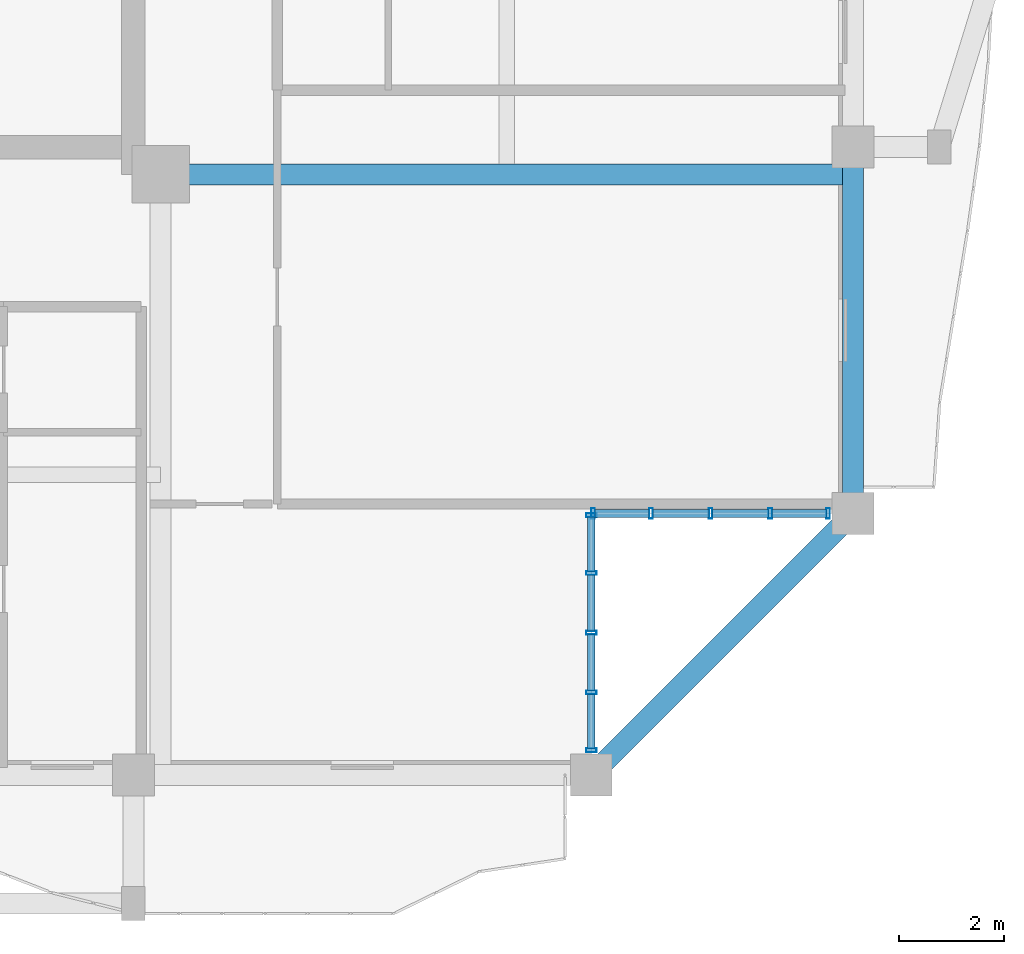
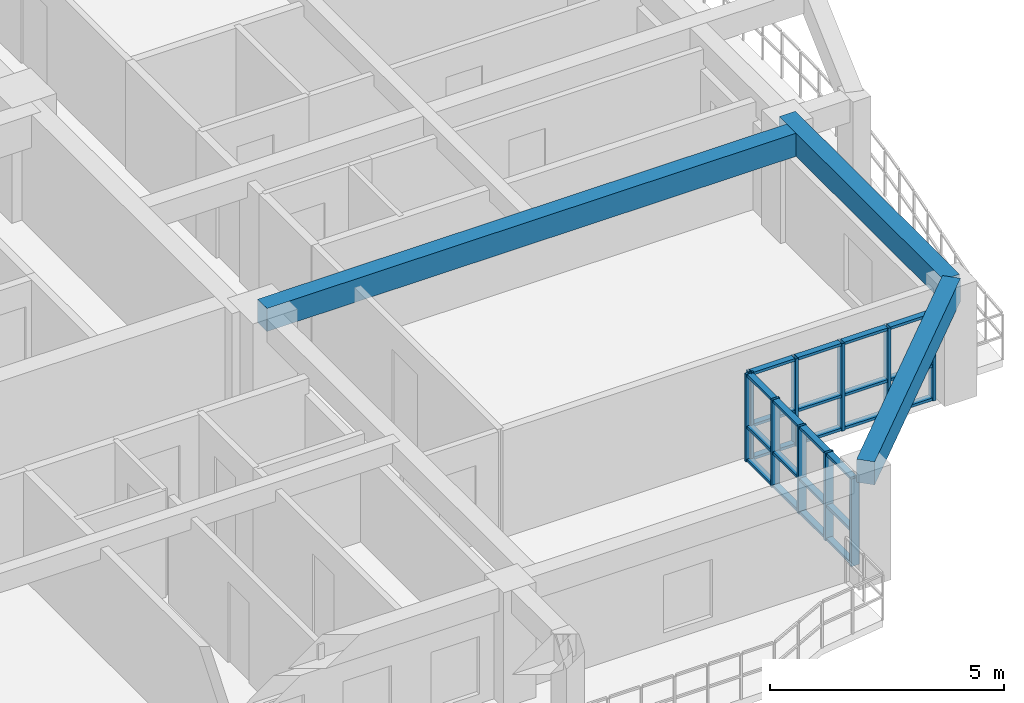
# One storey, part 4 of 21: 34 members, 3 beams, 2 elements without a shape of their own.
"""IFC4 building model written with IfcOpenShell, lengths in metres."""

import ifcopenshell
import ifcopenshell.guid

model = None  # the IFC model being written
_history = None  # IfcOwnerHistory: only IFC2X3 demands one
_inside = {}  # id of a spatial element -> (the spatial element, [elements in it])
_under = {}  # id of a project, library or spatial element -> (it, [spatial elements below it])
_declared = {}  # id of a project -> (the project, [libraries it declares])
_typed = {}  # id of a type object -> (the type object, [elements of that type])
_made_of = {}  # id of a material, layer set ... -> (it, [elements and type objects made of it])


def new_model(schema):
    """Start an empty IFC model of exactly this schema.

    Asked for "IFC4X3", IfcOpenShell would pick the latest addendum, in which some entities
    have other attributes; the version numbers below select the first issue.
    IFC2X3 requires an IfcOwnerHistory on every rooted entity: one is made here for all.
    """
    global model, _history
    if schema == "IFC4X3":
        model = ifcopenshell.file(schema_version=(4, 3, 0, 0))
    else:
        model = ifcopenshell.file(schema=schema)
    _inside.clear()
    _under.clear()
    _declared.clear()
    _typed.clear()
    _made_of.clear()
    _history = None
    if model.schema == "IFC2X3":
        org = make("IfcOrganization", Name="unknown")
        user = make(
            "IfcPersonAndOrganization",
            ThePerson=make("IfcPerson", FamilyName="unknown"),
            TheOrganization=org,
        )
        app = make(
            "IfcApplication",
            ApplicationDeveloper=org,
            Version="unknown",
            ApplicationFullName="unknown",
            ApplicationIdentifier="unknown",
        )
        _history = make(
            "IfcOwnerHistory",
            OwningUser=user,
            OwningApplication=app,
            ChangeAction="ADDED",
            CreationDate=0,
        )
    return model


def make(cls, **values):
    """One entity of the class cls with the attributes given. An attribute that is None is left unset."""
    return model.create_entity(
        cls, **{name: value for name, value in values.items() if value is not None}
    )


def rooted(cls, **values):
    """An entity with a GlobalId (a new one), such as an element, a storey or a relation."""
    return make(cls, GlobalId=ifcopenshell.guid.new(), OwnerHistory=_history, **values)


def si_unit(unit_type, name, prefix=None):
    """IfcSIUnit, for example si_unit("LENGTHUNIT", "METRE", prefix="MILLI")."""
    return make("IfcSIUnit", UnitType=unit_type, Prefix=prefix, Name=name)


def assignment(units):
    """IfcUnitAssignment: the units of a project."""
    return None if units is None else make("IfcUnitAssignment", Units=units)


def point(xyz):
    """IfcCartesianPoint."""
    return None if xyz is None else make("IfcCartesianPoint", Coordinates=xyz)


def direction(xyz):
    """IfcDirection."""
    return None if xyz is None else make("IfcDirection", DirectionRatios=xyz)


def frame(location, z_axis=None, x_axis=None):
    """IfcAxis2Placement3D, a coordinate frame: its origin and axes. An axis left out is left unset."""
    return make(
        "IfcAxis2Placement3D",
        Location=point(location),
        Axis=direction(z_axis),
        RefDirection=direction(x_axis),
    )


def frame_2d(location, x_axis=None):
    """IfcAxis2Placement2D, a coordinate frame in the plane: its origin and x axis."""
    return make(
        "IfcAxis2Placement2D", Location=point(location), RefDirection=direction(x_axis)
    )


def origin():
    """The frame at (0, 0, 0) with its axes left unset."""
    return frame((0.0, 0.0, 0.0))


def origin_2d():
    """The frame at (0, 0) in the plane with its x axis left unset."""
    return frame_2d((0.0, 0.0))


def place(relative_to, where):
    """IfcLocalPlacement: puts the frame where relative to a parent placement (None: the world)."""
    return make(
        "IfcLocalPlacement", PlacementRelTo=relative_to, RelativePlacement=where
    )


def context(
    kind, dimensions, precision=None, world=None, true_north=None, identifier=None
):
    """IfcGeometricRepresentationContext, for example the 3D "Model" context."""
    return make(
        "IfcGeometricRepresentationContext",
        ContextIdentifier=identifier,
        ContextType=kind,
        CoordinateSpaceDimension=dimensions,
        Precision=precision,
        WorldCoordinateSystem=world,
        TrueNorth=true_north,
    )


def subcontext(parent, identifier, kind, view, scale=None):
    """IfcGeometricRepresentationSubContext, for example "Body" below "Model"."""
    return make(
        "IfcGeometricRepresentationSubContext",
        ContextIdentifier=identifier,
        ContextType=kind,
        ParentContext=parent,
        TargetScale=scale,
        TargetView=view,
    )


def project(units=None, contexts=None):
    """IfcProject with its units and contexts."""
    return rooted(
        "IfcProject",
        Name="project",
        RepresentationContexts=contexts,
        UnitsInContext=assignment(units),
    )


def spatial(cls, under=None, at=None, **own):
    """A site, building, storey or space (cls), placed at a placement, below another one or the project."""
    s = rooted(cls, ObjectPlacement=at, **own)
    if under is not None:
        _under.setdefault(under.id(), (under, []))[1].append(s)
    return s


def profile(cls, at=None, kind="AREA", **sizes):
    """A parametric profile (cls). Its sizes go by their IFC names, for example OverallWidth=200.0."""
    return make(cls, ProfileType=kind, Position=at, **sizes)


def rectangle(**sizes):
    """IfcRectangleProfileDef."""
    return profile("IfcRectangleProfileDef", **sizes)


def hollow_rectangle(**sizes):
    """IfcRectangleHollowProfileDef."""
    return profile("IfcRectangleHollowProfileDef", **sizes)


def extrude(swept, where, along, depth):
    """IfcExtrudedAreaSolid: the profile swept, set in the frame where, extruded along a direction by depth."""
    return make(
        "IfcExtrudedAreaSolid",
        SweptArea=swept,
        Position=where,
        ExtrudedDirection=direction(along),
        Depth=depth,
    )


def shape(context_of_items, identifier, shape_type, items):
    """IfcShapeRepresentation: the items that make up one representation, for example the "Body"."""
    return make(
        "IfcShapeRepresentation",
        ContextOfItems=context_of_items,
        RepresentationIdentifier=identifier,
        RepresentationType=shape_type,
        Items=items,
    )


def source(mapping_origin, context_of_items, identifier, shape_type, items):
    """IfcRepresentationMap: a shape defined once, which mapped items show again and again."""
    return make(
        "IfcRepresentationMap",
        MappingOrigin=mapping_origin,
        MappedRepresentation=shape(context_of_items, identifier, shape_type, items),
    )


def transform(
    local_origin,
    x_axis=None,
    y_axis=None,
    z_axis=None,
    scale=None,
    scale2=None,
    scale3=None,
    uniform=True,
):
    """IfcCartesianTransformationOperator3D, or its non-uniform kind. x_axis, y_axis, z_axis: its Axis1, 2, 3."""
    if uniform:
        return make(
            "IfcCartesianTransformationOperator3D",
            Axis1=direction(x_axis),
            Axis2=direction(y_axis),
            LocalOrigin=point(local_origin),
            Scale=scale,
            Axis3=direction(z_axis),
        )
    return make(
        "IfcCartesianTransformationOperator3DnonUniform",
        Axis1=direction(x_axis),
        Axis2=direction(y_axis),
        LocalOrigin=point(local_origin),
        Scale=scale,
        Axis3=direction(z_axis),
        Scale2=scale2,
        Scale3=scale3,
    )


def mapped(mapping_source, mapping_target):
    """IfcMappedItem: shows the shape of a source again, moved by a transform."""
    return make(
        "IfcMappedItem", MappingSource=mapping_source, MappingTarget=mapping_target
    )


def material(Name=None, Category=None):
    """IfcMaterial."""
    return make("IfcMaterial", Name=Name, Category=Category)


def layer(
    of_material, thickness, ventilated=None, Name=None, Category=None, Priority=None
):
    """IfcMaterialLayer: one layer of a wall or slab, of a material (None: an air gap)."""
    return make(
        "IfcMaterialLayer",
        Material=of_material,
        LayerThickness=thickness,
        IsVentilated=ventilated,
        Name=Name,
        Category=Category,
        Priority=Priority,
    )


def layer_set(layers, Name=None):
    """IfcMaterialLayerSet."""
    return make("IfcMaterialLayerSet", MaterialLayers=layers, LayerSetName=Name)


def material_profile(
    of_material, cross_section, Name=None, Category=None, Priority=None
):
    """IfcMaterialProfile: a cross section and its material."""
    return make(
        "IfcMaterialProfile",
        Name=Name,
        Material=of_material,
        Profile=cross_section,
        Priority=Priority,
        Category=Category,
    )


def profile_set(profiles, Name=None, composite=None):
    """IfcMaterialProfileSet."""
    return make(
        "IfcMaterialProfileSet",
        Name=Name,
        MaterialProfiles=profiles,
        CompositeProfile=composite,
    )


def made_of(thing, what):
    """Note that an element or type object is made of a material, layer set ...; save() writes the relation."""
    if what is not None:
        _made_of.setdefault(what.id(), (what, []))[1].append(thing)
    return thing


def type_object(cls, material=None, **own):
    """A type object (cls), such as IfcWallType, which elements share."""
    return made_of(rooted(cls, **own), material)


def element(
    cls,
    number,
    at=None,
    inside=None,
    cuts=None,
    type_object=None,
    material=None,
    context=None,
    identifier="Body",
    shape_type=None,
    held_by="IfcProductDefinitionShape",
    body=None,
    shapes=None,
    **own,
):
    """One element of the class cls, such as IfcWall. Its Tag is "e" and its number.

    at: its placement. inside: the storey or other place that contains it. cuts: it is an
    opening in that element (IfcRelVoidsElement). A single representation is given by context,
    identifier, shape_type and body (its items); several are given by shapes. held_by: the class
    of the entity that holds the representations. save() writes the other relations.
    """
    e = rooted(cls, Tag="e%d" % number, ObjectPlacement=at, **own)
    if body is not None:
        shapes = [shape(context, identifier, shape_type, body)]
    if shapes is not None:
        e.Representation = make(held_by, Representations=shapes)
    if inside is not None:
        _inside.setdefault(inside.id(), (inside, []))[1].append(e)
    if cuts is not None:
        rooted(
            "IfcRelVoidsElement", RelatingBuildingElement=cuts, RelatedOpeningElement=e
        )
    if type_object is not None:
        _typed.setdefault(type_object.id(), (type_object, []))[1].append(e)
    return made_of(e, material)


def aggregate(whole, parts):
    """IfcRelAggregates: a whole, such as a stair, and the parts it consists of."""
    return rooted("IfcRelAggregates", RelatingObject=whole, RelatedObjects=parts)


def save(model, path):
    """Write the relations noted so far, then the file.

    IfcRelAggregates (storeys below a building ...), IfcRelContainedInSpatialStructure (elements
    in a storey), IfcRelDefinesByType, IfcRelAssociatesMaterial and IfcRelDeclares: one each for
    every whole, place, type object, material and project.
    """
    for whole, parts in _under.values():
        aggregate(whole, parts)
    for where, things in _inside.values():
        rooted(
            "IfcRelContainedInSpatialStructure",
            RelatedElements=things,
            RelatingStructure=where,
        )
    for kind, things in _typed.values():
        rooted("IfcRelDefinesByType", RelatedObjects=things, RelatingType=kind)
    for what, things in _made_of.values():
        rooted("IfcRelAssociatesMaterial", RelatedObjects=things, RelatingMaterial=what)
    for by, libraries in _declared.values():
        rooted("IfcRelDeclares", RelatingContext=by, RelatedDefinitions=libraries)
    model.write(path)


model = new_model("IFC4")

# Units and contexts
model_context = context("Model", 3, precision=1e-05, world=origin(), true_north=direction((0.0, 1.0)))
body_context = subcontext(model_context, "Body", "Model", "MODEL_VIEW")
ifc_project = project(units=[si_unit("LENGTHUNIT", "METRE"), si_unit("AREAUNIT", "SQUARE_METRE"), si_unit("VOLUMEUNIT", "CUBIC_METRE"), si_unit("PLANEANGLEUNIT", "RADIAN"), si_unit("MASSUNIT", "GRAM", prefix="KILO")], contexts=[model_context])

# Site, building, storey
site_placement = place(None, origin())
site = spatial("IfcSite", under=ifc_project, at=site_placement, CompositionType="ELEMENT")
building_placement = place(site_placement, origin())
building = spatial("IfcBuilding", under=site, at=building_placement, Name="Saelheon Loggia Tower", CompositionType="ELEMENT")
storey_placement = place(building_placement, frame((0.0, 0.0, 186.699951171875)))
storey = spatial("IfcBuildingStorey", under=building, at=storey_placement, Name="L58", CompositionType="ELEMENT", Elevation=186.699951171875)

# Beams
ifc_material_1 = material(Name="Concrete C40/50", Category="concrete")
ifc_material_profile_1 = material_profile(ifc_material_1, rectangle(XDim=0.39990234375, YDim=0.60009765625, at=origin_2d()), Name="RC-400x600")
ifc_profile_set_1 = profile_set([ifc_material_profile_1], Name="Concrete C40/50")
beam_type_1 = type_object("IfcBeamType", Name="Beam_PerimUpper_RC400x600", PredefinedType="BEAM", material=ifc_profile_set_1)
shared_shape_1 = source(origin(), body_context, "Body", "SweptSolid", [
    extrude(rectangle(XDim=0.39990234375, YDim=0.60009765625, at=origin_2d()), origin(), (0.0, 0.0, 1.0), 7.071044921875),
])
beam_1_placement = place(storey_placement, frame((53.25, 6.0, 2.699951171875), z_axis=(0.707106781187, 0.707106781187, 0.0), x_axis=(-0.707106781187, 0.707106781187, 0.0)))
element("IfcBeam", 1, at=beam_1_placement, inside=storey, type_object=beam_type_1, Name="L58 Perimeter Frame Girder 04", PredefinedType="BEAM", context=body_context, shape_type="MappedRepresentation", body=[
    mapped(shared_shape_1, transform((0.0, 0.0, 0.0), scale=1.0)),
])
shared_shape_2 = source(origin(), body_context, "Body", "SweptSolid", [
    extrude(rectangle(XDim=0.39990234375, YDim=0.60009765625, at=origin_2d()), origin(), (0.0, 0.0, 1.0), 7.0),
])
beam_2_placement = place(storey_placement, frame((58.25, 11.0, 2.699951171875), z_axis=(0.0, 1.0, 0.0), x_axis=(-1.0, 0.0, 0.0)))
element("IfcBeam", 2, at=beam_2_placement, inside=storey, type_object=beam_type_1, Name="L58 Perimeter Frame Girder 05", PredefinedType="BEAM", context=body_context, shape_type="MappedRepresentation", body=[
    mapped(shared_shape_2, transform((0.0, 0.0, 0.0), scale=1.0)),
])
ifc_material_profile_2 = material_profile(ifc_material_1, rectangle(XDim=0.39990234375, YDim=0.60009765625, at=origin_2d()), Name="RC-400x600")
ifc_profile_set_2 = profile_set([ifc_material_profile_2], Name="Concrete C40/50")
beam_type_2 = type_object("IfcBeamType", Name="Beam_UpperGirder_RC400x600", PredefinedType="BEAM", material=ifc_profile_set_2)
shared_shape_3 = source(origin(), body_context, "Body", "SweptSolid", [
    extrude(rectangle(XDim=0.39990234375, YDim=0.60009765625, at=origin_2d()), origin(), (0.0, 0.0, 1.0), 13.22998046875),
])
beam_3_placement = place(storey_placement, frame((45.02001953125, 17.47998046875, 2.699951171875), z_axis=(1.0, 0.0, 0.0), x_axis=(0.0, 1.0, 0.0)))
element("IfcBeam", 3, at=beam_3_placement, inside=storey, type_object=beam_type_2, Name="L58 Radial Floor Girder RAD-SE-E", PredefinedType="BEAM", context=body_context, shape_type="MappedRepresentation", body=[
    mapped(shared_shape_3, transform((0.0, 0.0, 0.0), scale=1.0)),
])

# Curtain wall, members
ifc_material_2 = material(Name="High-Wind Aluminium and Triple Laminated Glass", Category="aluminium")
ifc_layer = layer(ifc_material_2, 0.179931640625)
ifc_layer_set = layer_set([ifc_layer], Name="High-Wind Aluminium and Triple Laminated Glass")
curtain_wall_type = type_object("IfcCurtainWallType", Name="CW_TowerLoggiaHigh", PredefinedType="NOTDEFINED", material=ifc_layer_set)
curtain_wall_1_placement = place(storey_placement, origin())
curtain_wall_1 = element("IfcCurtainWall", 4, at=curtain_wall_1_placement, inside=storey, type_object=curtain_wall_type, Name="L58 Corner Notch Glazing SE1", PredefinedType="NOTDEFINED")
ifc_material_3 = material(Name="Anodised Aluminium 6063-T6", Category="aluminium")
ifc_material_profile_3 = material_profile(ifc_material_3, hollow_rectangle(XDim=0.070068359375, YDim=0.199951171875, WallThickness=0.0048828125, at=origin_2d()), Name="RHS-200x70x5")
ifc_profile_set_3 = profile_set([ifc_material_profile_3], Name="Anodised Aluminium 6063-T6")
member_type_1 = type_object("IfcMemberType", Name="CW_TowerLoggiaHigh_Mullion", PredefinedType="MULLION", material=ifc_profile_set_3)
shared_shape_4 = source(origin(), body_context, "Body", "SweptSolid", [
    extrude(hollow_rectangle(XDim=0.070068359375, YDim=0.199951171875, WallThickness=0.0048828125, at=origin_2d()), origin(), (0.0, 0.0, 1.0), 2.280029296875),
])
member_1_placement = place(storey_placement, frame((53.25, 6.47509765625, 0.0), z_axis=(0.0, 0.0, 1.0), x_axis=(0.0, 1.0, 0.0)))
member_1 = element("IfcMember", 5, at=member_1_placement, type_object=member_type_1, Name="CW4 mullion 1", PredefinedType="MULLION", context=body_context, shape_type="MappedRepresentation", body=[
    mapped(shared_shape_4, transform((0.0, 0.0, 0.0), scale=1.0)),
])
member_2_placement = place(storey_placement, frame((53.25, 7.580078125, 0.0), z_axis=(0.0, 0.0, 1.0), x_axis=(0.0, 1.0, 0.0)))
member_2 = element("IfcMember", 6, at=member_2_placement, type_object=member_type_1, Name="CW4 mullion 2", PredefinedType="MULLION", context=body_context, shape_type="MappedRepresentation", body=[
    mapped(shared_shape_4, transform((0.0, 0.0, 0.0), scale=1.0)),
])
member_3_placement = place(storey_placement, frame((53.25, 8.719970703125, 0.0), z_axis=(0.0, 0.0, 1.0), x_axis=(0.0, 1.0, 0.0)))
member_3 = element("IfcMember", 7, at=member_3_placement, type_object=member_type_1, Name="CW4 mullion 3", PredefinedType="MULLION", context=body_context, shape_type="MappedRepresentation", body=[
    mapped(shared_shape_4, transform((0.0, 0.0, 0.0), scale=1.0)),
])
member_4_placement = place(storey_placement, frame((53.25, 9.860107421875, 0.0), z_axis=(0.0, 0.0, 1.0), x_axis=(0.0, 1.0, 0.0)))
member_4 = element("IfcMember", 8, at=member_4_placement, type_object=member_type_1, Name="CW4 mullion 4", PredefinedType="MULLION", context=body_context, shape_type="MappedRepresentation", body=[
    mapped(shared_shape_4, transform((0.0, 0.0, 0.0), scale=1.0)),
])
member_5_placement = place(storey_placement, frame((53.25, 10.965087890625, 0.0), z_axis=(0.0, 0.0, 1.0), x_axis=(0.0, 1.0, 0.0)))
member_5 = element("IfcMember", 9, at=member_5_placement, type_object=member_type_1, Name="CW4 mullion 5", PredefinedType="MULLION", context=body_context, shape_type="MappedRepresentation", body=[
    mapped(shared_shape_4, transform((0.0, 0.0, 0.0), scale=1.0)),
])

curtain_wall_2_placement = place(storey_placement, origin())
curtain_wall_2 = element("IfcCurtainWall", 10, at=curtain_wall_2_placement, inside=storey, type_object=curtain_wall_type, Name="L58 Corner Notch Glazing SE2", PredefinedType="NOTDEFINED")
member_6_placement = place(storey_placement, frame((53.284912109375, 11.0, 0.0), z_axis=(0.0, 0.0, 1.0), x_axis=(1.0, 0.0, 0.0)))
member_6 = element("IfcMember", 11, at=member_6_placement, type_object=member_type_1, Name="CW4 mullion 1", PredefinedType="MULLION", context=body_context, shape_type="MappedRepresentation", body=[
    mapped(shared_shape_4, transform((0.0, 0.0, 0.0), scale=1.0)),
])
member_7_placement = place(storey_placement, frame((54.389892578125, 11.0, 0.0), z_axis=(0.0, 0.0, 1.0), x_axis=(1.0, 0.0, 0.0)))
member_7 = element("IfcMember", 12, at=member_7_placement, type_object=member_type_1, Name="CW4 mullion 2", PredefinedType="MULLION", context=body_context, shape_type="MappedRepresentation", body=[
    mapped(shared_shape_4, transform((0.0, 0.0, 0.0), scale=1.0)),
])
member_8_placement = place(storey_placement, frame((55.530029296875, 11.0, 0.0), z_axis=(0.0, 0.0, 1.0), x_axis=(1.0, 0.0, 0.0)))
member_8 = element("IfcMember", 13, at=member_8_placement, type_object=member_type_1, Name="CW4 mullion 3", PredefinedType="MULLION", context=body_context, shape_type="MappedRepresentation", body=[
    mapped(shared_shape_4, transform((0.0, 0.0, 0.0), scale=1.0)),
])
member_9_placement = place(storey_placement, frame((56.669921875, 11.0, 0.0), z_axis=(0.0, 0.0, 1.0), x_axis=(1.0, 0.0, 0.0)))
member_9 = element("IfcMember", 14, at=member_9_placement, type_object=member_type_1, Name="CW4 mullion 4", PredefinedType="MULLION", context=body_context, shape_type="MappedRepresentation", body=[
    mapped(shared_shape_4, transform((0.0, 0.0, 0.0), scale=1.0)),
])
member_10_placement = place(storey_placement, frame((57.77490234375, 11.0, 0.0), z_axis=(0.0, 0.0, 1.0), x_axis=(1.0, 0.0, 0.0)))
member_10 = element("IfcMember", 15, at=member_10_placement, type_object=member_type_1, Name="CW4 mullion 5", PredefinedType="MULLION", context=body_context, shape_type="MappedRepresentation", body=[
    mapped(shared_shape_4, transform((0.0, 0.0, 0.0), scale=1.0)),
])

# Member
ifc_material_profile_4 = material_profile(ifc_material_3, hollow_rectangle(XDim=0.070068359375, YDim=0.14990234375, WallThickness=0.0048828125, at=origin_2d()), Name="RHS-150x70x5")
ifc_profile_set_4 = profile_set([ifc_material_profile_4], Name="Anodised Aluminium 6063-T6")
member_type_2 = type_object("IfcMemberType", Name="CW_TowerLoggiaHigh_Transom", PredefinedType="USERDEFINED", material=ifc_profile_set_4)
shared_shape_5 = source(origin(), body_context, "Body", "SweptSolid", [
    extrude(hollow_rectangle(XDim=0.070068359375, YDim=0.14990234375, WallThickness=0.0048828125, at=origin_2d()), origin(), (0.0, 0.0, 1.0), 1.034912109375),
])
member_11_placement = place(storey_placement, frame((53.25, 6.510009765625, 0.03515625), z_axis=(0.0, 1.0, 0.0), x_axis=(0.0, 0.0, 1.0)))
member_11 = element("IfcMember", 16, at=member_11_placement, type_object=member_type_2, Name="CW4 transom 1.1", ObjectType="TRANSOM", PredefinedType="USERDEFINED", context=body_context, shape_type="MappedRepresentation", body=[
    mapped(shared_shape_5, transform((0.0, 0.0, 0.0), scale=1.0)),
])

member_12_placement = place(storey_placement, frame((53.25, 6.510009765625, 0.900146484375), z_axis=(0.0, 1.0, 0.0), x_axis=(0.0, 0.0, 1.0)))
member_12 = element("IfcMember", 17, at=member_12_placement, type_object=member_type_2, Name="CW4 transom 1.2", ObjectType="TRANSOM", PredefinedType="USERDEFINED", context=body_context, shape_type="MappedRepresentation", body=[
    mapped(shared_shape_5, transform((0.0, 0.0, 0.0), scale=1.0)),
])

member_13_placement = place(storey_placement, frame((53.25, 6.510009765625, 2.2451171875), z_axis=(0.0, 1.0, 0.0), x_axis=(0.0, 0.0, 1.0)))
member_13 = element("IfcMember", 18, at=member_13_placement, type_object=member_type_2, Name="CW4 transom 1.3", ObjectType="TRANSOM", PredefinedType="USERDEFINED", context=body_context, shape_type="MappedRepresentation", body=[
    mapped(shared_shape_5, transform((0.0, 0.0, 0.0), scale=1.0)),
])

member_14_placement = place(storey_placement, frame((53.25, 9.89501953125, 0.03515625), z_axis=(0.0, 1.0, 0.0), x_axis=(0.0, 0.0, 1.0)))
member_14 = element("IfcMember", 19, at=member_14_placement, type_object=member_type_2, Name="CW4 transom 4.1", ObjectType="TRANSOM", PredefinedType="USERDEFINED", context=body_context, shape_type="MappedRepresentation", body=[
    mapped(shared_shape_5, transform((0.0, 0.0, 0.0), scale=1.0)),
])

member_15_placement = place(storey_placement, frame((53.25, 9.89501953125, 0.900146484375), z_axis=(0.0, 1.0, 0.0), x_axis=(0.0, 0.0, 1.0)))
member_15 = element("IfcMember", 20, at=member_15_placement, type_object=member_type_2, Name="CW4 transom 4.2", ObjectType="TRANSOM", PredefinedType="USERDEFINED", context=body_context, shape_type="MappedRepresentation", body=[
    mapped(shared_shape_5, transform((0.0, 0.0, 0.0), scale=1.0)),
])

member_16_placement = place(storey_placement, frame((53.25, 9.89501953125, 2.2451171875), z_axis=(0.0, 1.0, 0.0), x_axis=(0.0, 0.0, 1.0)))
member_16 = element("IfcMember", 21, at=member_16_placement, type_object=member_type_2, Name="CW4 transom 4.3", ObjectType="TRANSOM", PredefinedType="USERDEFINED", context=body_context, shape_type="MappedRepresentation", body=[
    mapped(shared_shape_5, transform((0.0, 0.0, 0.0), scale=1.0)),
])

member_17_placement = place(storey_placement, frame((53.320068359375, 11.0, 0.03515625), z_axis=(1.0, 0.0, 0.0), x_axis=(0.0, 0.0, 1.0)))
member_17 = element("IfcMember", 22, at=member_17_placement, type_object=member_type_2, Name="CW4 transom 1.1", ObjectType="TRANSOM", PredefinedType="USERDEFINED", context=body_context, shape_type="MappedRepresentation", body=[
    mapped(shared_shape_5, transform((0.0, 0.0, 0.0), scale=1.0)),
])

member_18_placement = place(storey_placement, frame((53.320068359375, 11.0, 0.900146484375), z_axis=(1.0, 0.0, 0.0), x_axis=(0.0, 0.0, 1.0)))
member_18 = element("IfcMember", 23, at=member_18_placement, type_object=member_type_2, Name="CW4 transom 1.2", ObjectType="TRANSOM", PredefinedType="USERDEFINED", context=body_context, shape_type="MappedRepresentation", body=[
    mapped(shared_shape_5, transform((0.0, 0.0, 0.0), scale=1.0)),
])

member_19_placement = place(storey_placement, frame((53.320068359375, 11.0, 2.2451171875), z_axis=(1.0, 0.0, 0.0), x_axis=(0.0, 0.0, 1.0)))
member_19 = element("IfcMember", 24, at=member_19_placement, type_object=member_type_2, Name="CW4 transom 1.3", ObjectType="TRANSOM", PredefinedType="USERDEFINED", context=body_context, shape_type="MappedRepresentation", body=[
    mapped(shared_shape_5, transform((0.0, 0.0, 0.0), scale=1.0)),
])

member_20_placement = place(storey_placement, frame((56.705078125, 11.0, 0.03515625), z_axis=(1.0, 0.0, 0.0), x_axis=(0.0, 0.0, 1.0)))
member_20 = element("IfcMember", 25, at=member_20_placement, type_object=member_type_2, Name="CW4 transom 4.1", ObjectType="TRANSOM", PredefinedType="USERDEFINED", context=body_context, shape_type="MappedRepresentation", body=[
    mapped(shared_shape_5, transform((0.0, 0.0, 0.0), scale=1.0)),
])

member_21_placement = place(storey_placement, frame((56.705078125, 11.0, 0.900146484375), z_axis=(1.0, 0.0, 0.0), x_axis=(0.0, 0.0, 1.0)))
member_21 = element("IfcMember", 26, at=member_21_placement, type_object=member_type_2, Name="CW4 transom 4.2", ObjectType="TRANSOM", PredefinedType="USERDEFINED", context=body_context, shape_type="MappedRepresentation", body=[
    mapped(shared_shape_5, transform((0.0, 0.0, 0.0), scale=1.0)),
])

member_22_placement = place(storey_placement, frame((56.705078125, 11.0, 2.2451171875), z_axis=(1.0, 0.0, 0.0), x_axis=(0.0, 0.0, 1.0)))
member_22 = element("IfcMember", 27, at=member_22_placement, type_object=member_type_2, Name="CW4 transom 4.3", ObjectType="TRANSOM", PredefinedType="USERDEFINED", context=body_context, shape_type="MappedRepresentation", body=[
    mapped(shared_shape_5, transform((0.0, 0.0, 0.0), scale=1.0)),
])

shared_shape_6 = source(origin(), body_context, "Body", "SweptSolid", [
    extrude(hollow_rectangle(XDim=0.070068359375, YDim=0.14990234375, WallThickness=0.0048828125, at=origin_2d()), origin(), (0.0, 0.0, 1.0), 1.070068359375),
])
member_23_placement = place(storey_placement, frame((53.25, 7.614990234375, 0.03515625), z_axis=(0.0, 1.0, 0.0), x_axis=(0.0, 0.0, 1.0)))
member_23 = element("IfcMember", 28, at=member_23_placement, type_object=member_type_2, Name="CW4 transom 2.1", ObjectType="TRANSOM", PredefinedType="USERDEFINED", context=body_context, shape_type="MappedRepresentation", body=[
    mapped(shared_shape_6, transform((0.0, 0.0, 0.0), scale=1.0)),
])

member_24_placement = place(storey_placement, frame((53.25, 7.614990234375, 0.900146484375), z_axis=(0.0, 1.0, 0.0), x_axis=(0.0, 0.0, 1.0)))
member_24 = element("IfcMember", 29, at=member_24_placement, type_object=member_type_2, Name="CW4 transom 2.2", ObjectType="TRANSOM", PredefinedType="USERDEFINED", context=body_context, shape_type="MappedRepresentation", body=[
    mapped(shared_shape_6, transform((0.0, 0.0, 0.0), scale=1.0)),
])

member_25_placement = place(storey_placement, frame((53.25, 7.614990234375, 2.2451171875), z_axis=(0.0, 1.0, 0.0), x_axis=(0.0, 0.0, 1.0)))
member_25 = element("IfcMember", 30, at=member_25_placement, type_object=member_type_2, Name="CW4 transom 2.3", ObjectType="TRANSOM", PredefinedType="USERDEFINED", context=body_context, shape_type="MappedRepresentation", body=[
    mapped(shared_shape_6, transform((0.0, 0.0, 0.0), scale=1.0)),
])

member_26_placement = place(storey_placement, frame((53.25, 8.7548828125, 0.03515625), z_axis=(0.0, 1.0, 0.0), x_axis=(0.0, 0.0, 1.0)))
member_26 = element("IfcMember", 31, at=member_26_placement, type_object=member_type_2, Name="CW4 transom 3.1", ObjectType="TRANSOM", PredefinedType="USERDEFINED", context=body_context, shape_type="MappedRepresentation", body=[
    mapped(shared_shape_6, transform((0.0, 0.0, 0.0), scale=1.0)),
])

member_27_placement = place(storey_placement, frame((53.25, 8.7548828125, 0.900146484375), z_axis=(0.0, 1.0, 0.0), x_axis=(0.0, 0.0, 1.0)))
member_27 = element("IfcMember", 32, at=member_27_placement, type_object=member_type_2, Name="CW4 transom 3.2", ObjectType="TRANSOM", PredefinedType="USERDEFINED", context=body_context, shape_type="MappedRepresentation", body=[
    mapped(shared_shape_6, transform((0.0, 0.0, 0.0), scale=1.0)),
])

member_28_placement = place(storey_placement, frame((53.25, 8.7548828125, 2.2451171875), z_axis=(0.0, 1.0, 0.0), x_axis=(0.0, 0.0, 1.0)))
member_28 = element("IfcMember", 33, at=member_28_placement, type_object=member_type_2, Name="CW4 transom 3.3", ObjectType="TRANSOM", PredefinedType="USERDEFINED", context=body_context, shape_type="MappedRepresentation", body=[
    mapped(shared_shape_6, transform((0.0, 0.0, 0.0), scale=1.0)),
])

aggregate(curtain_wall_1, [member_1, member_2, member_3, member_4, member_5, member_11, member_12, member_13, member_23, member_24, member_25, member_26, member_27, member_28, member_14, member_15, member_16])

member_29_placement = place(storey_placement, frame((54.425048828125, 11.0, 0.03515625), z_axis=(1.0, 0.0, 0.0), x_axis=(0.0, 0.0, 1.0)))
member_29 = element("IfcMember", 34, at=member_29_placement, type_object=member_type_2, Name="CW4 transom 2.1", ObjectType="TRANSOM", PredefinedType="USERDEFINED", context=body_context, shape_type="MappedRepresentation", body=[
    mapped(shared_shape_6, transform((0.0, 0.0, 0.0), scale=1.0)),
])

member_30_placement = place(storey_placement, frame((54.425048828125, 11.0, 0.900146484375), z_axis=(1.0, 0.0, 0.0), x_axis=(0.0, 0.0, 1.0)))
member_30 = element("IfcMember", 35, at=member_30_placement, type_object=member_type_2, Name="CW4 transom 2.2", ObjectType="TRANSOM", PredefinedType="USERDEFINED", context=body_context, shape_type="MappedRepresentation", body=[
    mapped(shared_shape_6, transform((0.0, 0.0, 0.0), scale=1.0)),
])

member_31_placement = place(storey_placement, frame((54.425048828125, 11.0, 2.2451171875), z_axis=(1.0, 0.0, 0.0), x_axis=(0.0, 0.0, 1.0)))
member_31 = element("IfcMember", 36, at=member_31_placement, type_object=member_type_2, Name="CW4 transom 2.3", ObjectType="TRANSOM", PredefinedType="USERDEFINED", context=body_context, shape_type="MappedRepresentation", body=[
    mapped(shared_shape_6, transform((0.0, 0.0, 0.0), scale=1.0)),
])

member_32_placement = place(storey_placement, frame((55.56494140625, 11.0, 0.03515625), z_axis=(1.0, 0.0, 0.0), x_axis=(0.0, 0.0, 1.0)))
member_32 = element("IfcMember", 37, at=member_32_placement, type_object=member_type_2, Name="CW4 transom 3.1", ObjectType="TRANSOM", PredefinedType="USERDEFINED", context=body_context, shape_type="MappedRepresentation", body=[
    mapped(shared_shape_6, transform((0.0, 0.0, 0.0), scale=1.0)),
])

member_33_placement = place(storey_placement, frame((55.56494140625, 11.0, 0.900146484375), z_axis=(1.0, 0.0, 0.0), x_axis=(0.0, 0.0, 1.0)))
member_33 = element("IfcMember", 38, at=member_33_placement, type_object=member_type_2, Name="CW4 transom 3.2", ObjectType="TRANSOM", PredefinedType="USERDEFINED", context=body_context, shape_type="MappedRepresentation", body=[
    mapped(shared_shape_6, transform((0.0, 0.0, 0.0), scale=1.0)),
])

member_34_placement = place(storey_placement, frame((55.56494140625, 11.0, 2.2451171875), z_axis=(1.0, 0.0, 0.0), x_axis=(0.0, 0.0, 1.0)))
member_34 = element("IfcMember", 39, at=member_34_placement, type_object=member_type_2, Name="CW4 transom 3.3", ObjectType="TRANSOM", PredefinedType="USERDEFINED", context=body_context, shape_type="MappedRepresentation", body=[
    mapped(shared_shape_6, transform((0.0, 0.0, 0.0), scale=1.0)),
])

aggregate(curtain_wall_2, [member_6, member_7, member_8, member_9, member_10, member_17, member_18, member_19, member_29, member_30, member_31, member_32, member_33, member_34, member_20, member_21, member_22])

save(model, "model.ifc")
